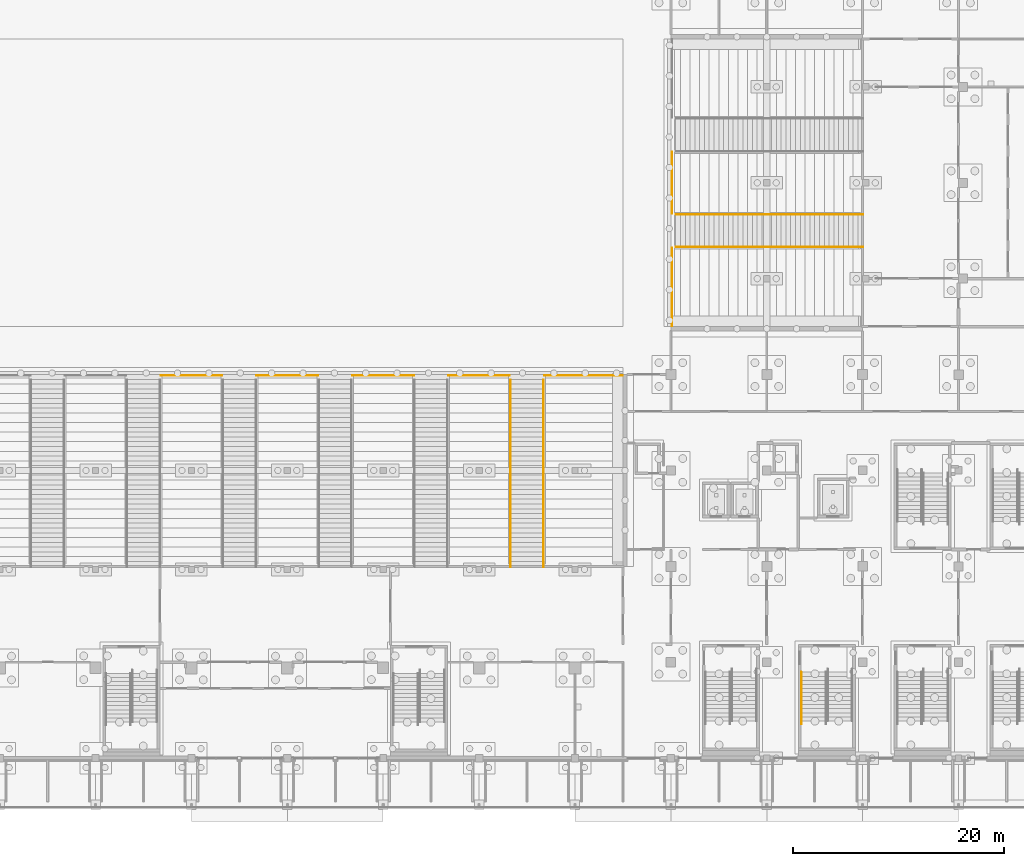
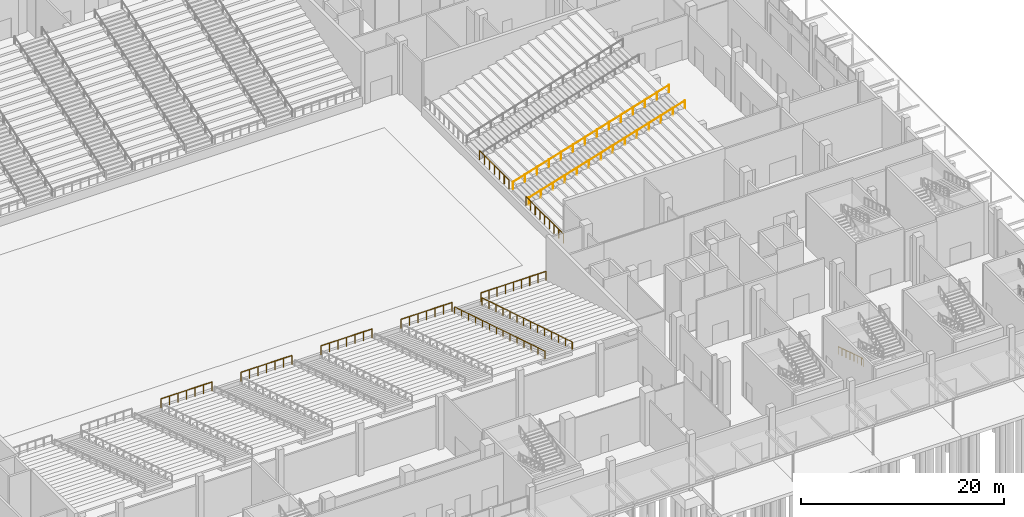
# One storey, part 107 of 129: 12 railings.
"""IFC4 building model written with IfcOpenShell, lengths in metres."""

from ifc_helpers import new_model, si_unit, direction, frame, origin, origin_2d, place, context, subcontext, project, spatial, circle, extrude, material, type_object, element, save


model = new_model("IFC4")

# Units and contexts
model_context = context("Model", 3, precision=1e-05, world=origin(), true_north=direction((0.0, 1.0)))
body_context = subcontext(model_context, "Body", "Model", "MODEL_VIEW")
ifc_project = project(units=[si_unit("LENGTHUNIT", "METRE"), si_unit("AREAUNIT", "SQUARE_METRE"), si_unit("VOLUMEUNIT", "CUBIC_METRE"), si_unit("PLANEANGLEUNIT", "RADIAN"), si_unit("MASSUNIT", "GRAM", prefix="KILO")], contexts=[model_context])

# Site, building, storey
site_placement = place(None, origin())
site = spatial("IfcSite", under=ifc_project, at=site_placement, CompositionType="ELEMENT")
building_placement = place(site_placement, origin())
building = spatial("IfcBuilding", under=site, at=building_placement, Name="Shirokan Park Arena", CompositionType="ELEMENT")
storey_placement = place(building_placement, origin())
storey = spatial("IfcBuildingStorey", under=building, at=storey_placement, Name="L00", CompositionType="ELEMENT", Elevation=0.0)

# Railings
ifc_material = material(Name="Stainless steel", Category="steel")
railing_type_1 = type_object("IfcRailingType", Name="Aisle handrail 900", PredefinedType="HANDRAIL", material=ifc_material)
railing_1_placement = place(storey_placement, frame((93.989990234375, 35.89501953125, 0.909912109375)))
element("IfcRailing", 1, at=railing_1_placement, inside=storey, type_object=railing_type_1, Name="Handrail vomitory stair S6 lower", PredefinedType="HANDRAIL", context=body_context, shape_type="SweptSolid", body=[
    extrude(circle(Radius=0.02490234375, at=origin_2d()), frame((0.0, 0.0, 0.89013671875), z_axis=(0.0, -0.955745737905, 0.294193957241), x_axis=(1.0, 0.0, 0.0)), (0.0, 0.0, 1.0), 1.42822265625),
    extrude(circle(Radius=0.02490234375, at=origin_2d()), frame((0.0, -1.364990234375, 1.310546875), z_axis=(0.0, -0.95579379257, 0.294037797035), x_axis=(1.0, 0.0, 0.0)), (0.0, 0.0, 1.0), 1.42822265625),
    extrude(circle(Radius=0.02490234375, at=origin_2d()), frame((0.0, -2.72998046875, 1.73046875), z_axis=(0.0, -0.95579379257, 0.294037797035), x_axis=(1.0, 0.0, 0.0)), (0.0, 0.0, 1.0), 1.42822265625),
    extrude(circle(Radius=0.02490234375, at=origin_2d()), frame((0.0, -4.094970703125, 2.150390625), z_axis=(0.0, -0.955745737905, 0.294193957241), x_axis=(1.0, 0.0, 0.0)), (0.0, 0.0, 1.0), 1.42822265625),
    extrude(circle(Radius=0.02490234375, at=origin_2d()), frame((0.0, -5.4599609375, 2.5703125), z_axis=(0.0, -0.95579379257, 0.294037797035), x_axis=(1.0, 0.0, 0.0)), (0.0, 0.0, 1.0), 1.42822265625),
    extrude(circle(Radius=0.02490234375, at=origin_2d()), frame((0.0, -6.824951171875, 2.990234375), z_axis=(0.0, -0.95579379257, 0.294037797035), x_axis=(1.0, 0.0, 0.0)), (0.0, 0.0, 1.0), 1.42822265625),
    extrude(circle(Radius=0.02490234375, at=origin_2d()), frame((0.0, -8.18994140625, 3.41015625), z_axis=(0.0, -0.955745737905, 0.294193957241), x_axis=(1.0, 0.0, 0.0)), (0.0, 0.0, 1.0), 1.42822265625),
    extrude(circle(Radius=0.02490234375, at=origin_2d()), frame((0.0, -9.554931640625, 3.83056640625), z_axis=(0.0, -0.95579379257, 0.294037797035), x_axis=(1.0, 0.0, 0.0)), (0.0, 0.0, 1.0), 1.42822265625),
    extrude(circle(Radius=0.02490234375, at=origin_2d()), frame((0.0, -10.919921875, 4.25048828125), z_axis=(0.0, -0.95579379257, 0.294037797035), x_axis=(1.0, 0.0, 0.0)), (0.0, 0.0, 1.0), 1.42822265625),
    extrude(circle(Radius=0.02490234375, at=origin_2d()), frame((0.0, -12.284912109375, 4.67041015625), z_axis=(0.0, -0.955745737905, 0.294193957241), x_axis=(1.0, 0.0, 0.0)), (0.0, 0.0, 1.0), 1.42822265625),
    extrude(circle(Radius=0.02490234375, at=origin_2d()), frame((0.0, -13.64990234375, 5.09033203125), z_axis=(0.0, -0.955808569173, 0.293989760189), x_axis=(1.0, 0.0, 0.0)), (0.0, 0.0, 1.0), 1.428466796875),
    extrude(circle(Radius=0.02490234375, at=origin_2d()), frame((0.0, -15.01513671875, 5.51025390625), z_axis=(0.0, -0.95579379257, 0.294037797035), x_axis=(1.0, 0.0, 0.0)), (0.0, 0.0, 1.0), 1.42822265625),
    extrude(circle(Radius=0.02490234375, at=origin_2d()), frame((0.0, -16.380126953125, 5.93017578125), z_axis=(0.0, -0.955745737905, 0.294193957241), x_axis=(1.0, 0.0, 0.0)), (0.0, 0.0, 1.0), 1.42822265625),
    extrude(circle(Radius=0.02490234375, at=origin_2d()), origin(), (0.0, 0.0, 1.0), 0.865234375),
    extrude(circle(Radius=0.02490234375, at=origin_2d()), frame((0.0, -1.364990234375, 0.420166015625)), (0.0, 0.0, 1.0), 0.865234375),
    extrude(circle(Radius=0.02490234375, at=origin_2d()), frame((0.0, -2.72998046875, 0.840087890625)), (0.0, 0.0, 1.0), 0.865234375),
    extrude(circle(Radius=0.02490234375, at=origin_2d()), frame((0.0, -4.094970703125, 1.260009765625)), (0.0, 0.0, 1.0), 0.865234375),
    extrude(circle(Radius=0.02490234375, at=origin_2d()), frame((0.0, -5.4599609375, 1.68017578125)), (0.0, 0.0, 1.0), 0.865234375),
    extrude(circle(Radius=0.02490234375, at=origin_2d()), frame((0.0, -6.824951171875, 2.10009765625)), (0.0, 0.0, 1.0), 0.865234375),
    extrude(circle(Radius=0.02490234375, at=origin_2d()), frame((0.0, -8.18994140625, 2.52001953125)), (0.0, 0.0, 1.0), 0.865234375),
    extrude(circle(Radius=0.02490234375, at=origin_2d()), frame((0.0, -9.554931640625, 2.940185546875)), (0.0, 0.0, 1.0), 0.865234375),
    extrude(circle(Radius=0.02490234375, at=origin_2d()), frame((0.0, -10.919921875, 3.360107421875)), (0.0, 0.0, 1.0), 0.865234375),
    extrude(circle(Radius=0.02490234375, at=origin_2d()), frame((0.0, -12.284912109375, 3.780029296875)), (0.0, 0.0, 1.0), 0.865234375),
    extrude(circle(Radius=0.02490234375, at=origin_2d()), frame((0.0, -13.64990234375, 4.2001953125)), (0.0, 0.0, 1.0), 0.865234375),
    extrude(circle(Radius=0.02490234375, at=origin_2d()), frame((0.0, -15.01513671875, 4.6201171875)), (0.0, 0.0, 1.0), 0.865234375),
    extrude(circle(Radius=0.02490234375, at=origin_2d()), frame((0.0, -16.380126953125, 5.0400390625)), (0.0, 0.0, 1.0), 0.865234375),
    extrude(circle(Radius=0.02490234375, at=origin_2d()), frame((0.0, -17.7451171875, 5.460205078125)), (0.0, 0.0, 1.0), 0.865234375),
])
railing_2_placement = place(storey_placement, frame((97.110107421875, 35.89501953125, 0.909912109375)))
element("IfcRailing", 2, at=railing_2_placement, inside=storey, type_object=railing_type_1, Name="Handrail vomitory stair S6 lower", PredefinedType="HANDRAIL", context=body_context, shape_type="SweptSolid", body=[
    extrude(circle(Radius=0.02490234375, at=origin_2d()), frame((0.0, 0.0, 0.89013671875), z_axis=(0.0, -0.955745737905, 0.294193957241), x_axis=(1.0, 0.0, 0.0)), (0.0, 0.0, 1.0), 1.42822265625),
    extrude(circle(Radius=0.02490234375, at=origin_2d()), frame((0.0, -1.364990234375, 1.310546875), z_axis=(0.0, -0.95579379257, 0.294037797035), x_axis=(1.0, 0.0, 0.0)), (0.0, 0.0, 1.0), 1.42822265625),
    extrude(circle(Radius=0.02490234375, at=origin_2d()), frame((0.0, -2.72998046875, 1.73046875), z_axis=(0.0, -0.95579379257, 0.294037797035), x_axis=(1.0, 0.0, 0.0)), (0.0, 0.0, 1.0), 1.42822265625),
    extrude(circle(Radius=0.02490234375, at=origin_2d()), frame((0.0, -4.094970703125, 2.150390625), z_axis=(0.0, -0.955745737905, 0.294193957241), x_axis=(1.0, 0.0, 0.0)), (0.0, 0.0, 1.0), 1.42822265625),
    extrude(circle(Radius=0.02490234375, at=origin_2d()), frame((0.0, -5.4599609375, 2.5703125), z_axis=(0.0, -0.95579379257, 0.294037797035), x_axis=(1.0, 0.0, 0.0)), (0.0, 0.0, 1.0), 1.42822265625),
    extrude(circle(Radius=0.02490234375, at=origin_2d()), frame((0.0, -6.824951171875, 2.990234375), z_axis=(0.0, -0.95579379257, 0.294037797035), x_axis=(1.0, 0.0, 0.0)), (0.0, 0.0, 1.0), 1.42822265625),
    extrude(circle(Radius=0.02490234375, at=origin_2d()), frame((0.0, -8.18994140625, 3.41015625), z_axis=(0.0, -0.955745737905, 0.294193957241), x_axis=(1.0, 0.0, 0.0)), (0.0, 0.0, 1.0), 1.42822265625),
    extrude(circle(Radius=0.02490234375, at=origin_2d()), frame((0.0, -9.554931640625, 3.83056640625), z_axis=(0.0, -0.95579379257, 0.294037797035), x_axis=(1.0, 0.0, 0.0)), (0.0, 0.0, 1.0), 1.42822265625),
    extrude(circle(Radius=0.02490234375, at=origin_2d()), frame((0.0, -10.919921875, 4.25048828125), z_axis=(0.0, -0.95579379257, 0.294037797035), x_axis=(1.0, 0.0, 0.0)), (0.0, 0.0, 1.0), 1.42822265625),
    extrude(circle(Radius=0.02490234375, at=origin_2d()), frame((0.0, -12.284912109375, 4.67041015625), z_axis=(0.0, -0.955745737905, 0.294193957241), x_axis=(1.0, 0.0, 0.0)), (0.0, 0.0, 1.0), 1.42822265625),
    extrude(circle(Radius=0.02490234375, at=origin_2d()), frame((0.0, -13.64990234375, 5.09033203125), z_axis=(0.0, -0.955808569173, 0.293989760189), x_axis=(1.0, 0.0, 0.0)), (0.0, 0.0, 1.0), 1.428466796875),
    extrude(circle(Radius=0.02490234375, at=origin_2d()), frame((0.0, -15.01513671875, 5.51025390625), z_axis=(0.0, -0.95579379257, 0.294037797035), x_axis=(1.0, 0.0, 0.0)), (0.0, 0.0, 1.0), 1.42822265625),
    extrude(circle(Radius=0.02490234375, at=origin_2d()), frame((0.0, -16.380126953125, 5.93017578125), z_axis=(0.0, -0.955745737905, 0.294193957241), x_axis=(1.0, 0.0, 0.0)), (0.0, 0.0, 1.0), 1.42822265625),
    extrude(circle(Radius=0.02490234375, at=origin_2d()), origin(), (0.0, 0.0, 1.0), 0.865234375),
    extrude(circle(Radius=0.02490234375, at=origin_2d()), frame((0.0, -1.364990234375, 0.420166015625)), (0.0, 0.0, 1.0), 0.865234375),
    extrude(circle(Radius=0.02490234375, at=origin_2d()), frame((0.0, -2.72998046875, 0.840087890625)), (0.0, 0.0, 1.0), 0.865234375),
    extrude(circle(Radius=0.02490234375, at=origin_2d()), frame((0.0, -4.094970703125, 1.260009765625)), (0.0, 0.0, 1.0), 0.865234375),
    extrude(circle(Radius=0.02490234375, at=origin_2d()), frame((0.0, -5.4599609375, 1.68017578125)), (0.0, 0.0, 1.0), 0.865234375),
    extrude(circle(Radius=0.02490234375, at=origin_2d()), frame((0.0, -6.824951171875, 2.10009765625)), (0.0, 0.0, 1.0), 0.865234375),
    extrude(circle(Radius=0.02490234375, at=origin_2d()), frame((0.0, -8.18994140625, 2.52001953125)), (0.0, 0.0, 1.0), 0.865234375),
    extrude(circle(Radius=0.02490234375, at=origin_2d()), frame((0.0, -9.554931640625, 2.940185546875)), (0.0, 0.0, 1.0), 0.865234375),
    extrude(circle(Radius=0.02490234375, at=origin_2d()), frame((0.0, -10.919921875, 3.360107421875)), (0.0, 0.0, 1.0), 0.865234375),
    extrude(circle(Radius=0.02490234375, at=origin_2d()), frame((0.0, -12.284912109375, 3.780029296875)), (0.0, 0.0, 1.0), 0.865234375),
    extrude(circle(Radius=0.02490234375, at=origin_2d()), frame((0.0, -13.64990234375, 4.2001953125)), (0.0, 0.0, 1.0), 0.865234375),
    extrude(circle(Radius=0.02490234375, at=origin_2d()), frame((0.0, -15.01513671875, 4.6201171875)), (0.0, 0.0, 1.0), 0.865234375),
    extrude(circle(Radius=0.02490234375, at=origin_2d()), frame((0.0, -16.380126953125, 5.0400390625)), (0.0, 0.0, 1.0), 0.865234375),
    extrude(circle(Radius=0.02490234375, at=origin_2d()), frame((0.0, -17.7451171875, 5.460205078125)), (0.0, 0.0, 1.0), 0.865234375),
])
railing_3_placement = place(storey_placement, frame((109.705078125, 48.489990234375, 0.909912109375)))
element("IfcRailing", 3, at=railing_3_placement, inside=storey, type_object=railing_type_1, Name="Handrail vomitory stair E1 lower", PredefinedType="HANDRAIL", context=body_context, shape_type="SweptSolid", body=[
    extrude(circle(Radius=0.02490234375, at=origin_2d()), frame((0.0, 0.0, 0.89013671875), z_axis=(0.955745737905, 0.0, 0.294193957241), x_axis=(0.0, 1.0, 0.0)), (0.0, 0.0, 1.0), 1.42822265625),
    extrude(circle(Radius=0.02490234375, at=origin_2d()), frame((1.364990234375, 0.0, 1.310546875), z_axis=(0.95579379257, 0.0, 0.294037797035), x_axis=(0.0, 1.0, 0.0)), (0.0, 0.0, 1.0), 1.42822265625),
    extrude(circle(Radius=0.02490234375, at=origin_2d()), frame((2.72998046875, 0.0, 1.73046875), z_axis=(0.95579379257, 0.0, 0.294037797035), x_axis=(0.0, 1.0, 0.0)), (0.0, 0.0, 1.0), 1.42822265625),
    extrude(circle(Radius=0.02490234375, at=origin_2d()), frame((4.094970703125, 0.0, 2.150390625), z_axis=(0.955745737905, 0.0, 0.294193957241), x_axis=(0.0, 1.0, 0.0)), (0.0, 0.0, 1.0), 1.42822265625),
    extrude(circle(Radius=0.02490234375, at=origin_2d()), frame((5.4599609375, 0.0, 2.5703125), z_axis=(0.95579379257, 0.0, 0.294037797035), x_axis=(0.0, 1.0, 0.0)), (0.0, 0.0, 1.0), 1.42822265625),
    extrude(circle(Radius=0.02490234375, at=origin_2d()), frame((6.824951171875, 0.0, 2.990234375), z_axis=(0.95579379257, 0.0, 0.294037797035), x_axis=(0.0, 1.0, 0.0)), (0.0, 0.0, 1.0), 1.42822265625),
    extrude(circle(Radius=0.02490234375, at=origin_2d()), frame((8.18994140625, 0.0, 3.41015625), z_axis=(0.955745737905, 0.0, 0.294193957241), x_axis=(0.0, 1.0, 0.0)), (0.0, 0.0, 1.0), 1.42822265625),
    extrude(circle(Radius=0.02490234375, at=origin_2d()), frame((9.554931640625, 0.0, 3.83056640625), z_axis=(0.95579379257, 0.0, 0.294037797035), x_axis=(0.0, 1.0, 0.0)), (0.0, 0.0, 1.0), 1.42822265625),
    extrude(circle(Radius=0.02490234375, at=origin_2d()), frame((10.919921875, 0.0, 4.25048828125), z_axis=(0.95579379257, 0.0, 0.294037797035), x_axis=(0.0, 1.0, 0.0)), (0.0, 0.0, 1.0), 1.42822265625),
    extrude(circle(Radius=0.02490234375, at=origin_2d()), frame((12.284912109375, 0.0, 4.67041015625), z_axis=(0.955745737905, 0.0, 0.294193957241), x_axis=(0.0, 1.0, 0.0)), (0.0, 0.0, 1.0), 1.42822265625),
    extrude(circle(Radius=0.02490234375, at=origin_2d()), frame((13.64990234375, 0.0, 5.09033203125), z_axis=(0.95579379257, 0.0, 0.294037797035), x_axis=(0.0, 1.0, 0.0)), (0.0, 0.0, 1.0), 1.42822265625),
    extrude(circle(Radius=0.02490234375, at=origin_2d()), frame((15.014892578125, 0.0, 5.51025390625), z_axis=(0.95579379257, 0.0, 0.294037797035), x_axis=(0.0, 1.0, 0.0)), (0.0, 0.0, 1.0), 1.42822265625),
    extrude(circle(Radius=0.02490234375, at=origin_2d()), frame((16.3798828125, 0.0, 5.93017578125), z_axis=(0.955745737905, 0.0, 0.294193957241), x_axis=(0.0, 1.0, 0.0)), (0.0, 0.0, 1.0), 1.42822265625),
    extrude(circle(Radius=0.02490234375, at=origin_2d()), origin(), (0.0, 0.0, 1.0), 0.865234375),
    extrude(circle(Radius=0.02490234375, at=origin_2d()), frame((1.364990234375, 0.0, 0.420166015625)), (0.0, 0.0, 1.0), 0.865234375),
    extrude(circle(Radius=0.02490234375, at=origin_2d()), frame((2.72998046875, 0.0, 0.840087890625)), (0.0, 0.0, 1.0), 0.865234375),
    extrude(circle(Radius=0.02490234375, at=origin_2d()), frame((4.094970703125, 0.0, 1.260009765625)), (0.0, 0.0, 1.0), 0.865234375),
    extrude(circle(Radius=0.02490234375, at=origin_2d()), frame((5.4599609375, 0.0, 1.68017578125)), (0.0, 0.0, 1.0), 0.865234375),
    extrude(circle(Radius=0.02490234375, at=origin_2d()), frame((6.824951171875, 0.0, 2.10009765625)), (0.0, 0.0, 1.0), 0.865234375),
    extrude(circle(Radius=0.02490234375, at=origin_2d()), frame((8.18994140625, 0.0, 2.52001953125)), (0.0, 0.0, 1.0), 0.865234375),
    extrude(circle(Radius=0.02490234375, at=origin_2d()), frame((9.554931640625, 0.0, 2.940185546875)), (0.0, 0.0, 1.0), 0.865234375),
    extrude(circle(Radius=0.02490234375, at=origin_2d()), frame((10.919921875, 0.0, 3.360107421875)), (0.0, 0.0, 1.0), 0.865234375),
    extrude(circle(Radius=0.02490234375, at=origin_2d()), frame((12.284912109375, 0.0, 3.780029296875)), (0.0, 0.0, 1.0), 0.865234375),
    extrude(circle(Radius=0.02490234375, at=origin_2d()), frame((13.64990234375, 0.0, 4.2001953125)), (0.0, 0.0, 1.0), 0.865234375),
    extrude(circle(Radius=0.02490234375, at=origin_2d()), frame((15.014892578125, 0.0, 4.6201171875)), (0.0, 0.0, 1.0), 0.865234375),
    extrude(circle(Radius=0.02490234375, at=origin_2d()), frame((16.3798828125, 0.0, 5.0400390625)), (0.0, 0.0, 1.0), 0.865234375),
    extrude(circle(Radius=0.02490234375, at=origin_2d()), frame((17.744873046875, 0.0, 5.460205078125)), (0.0, 0.0, 1.0), 0.865234375),
])
railing_4_placement = place(storey_placement, frame((109.705078125, 51.610107421875, 0.909912109375)))
element("IfcRailing", 4, at=railing_4_placement, inside=storey, type_object=railing_type_1, Name="Handrail vomitory stair E1 lower", PredefinedType="HANDRAIL", context=body_context, shape_type="SweptSolid", body=[
    extrude(circle(Radius=0.02490234375, at=origin_2d()), frame((0.0, 0.0, 0.89013671875), z_axis=(0.955745737905, 0.0, 0.294193957241), x_axis=(0.0, 1.0, 0.0)), (0.0, 0.0, 1.0), 1.42822265625),
    extrude(circle(Radius=0.02490234375, at=origin_2d()), frame((1.364990234375, 0.0, 1.310546875), z_axis=(0.95579379257, 0.0, 0.294037797035), x_axis=(0.0, 1.0, 0.0)), (0.0, 0.0, 1.0), 1.42822265625),
    extrude(circle(Radius=0.02490234375, at=origin_2d()), frame((2.72998046875, 0.0, 1.73046875), z_axis=(0.95579379257, 0.0, 0.294037797035), x_axis=(0.0, 1.0, 0.0)), (0.0, 0.0, 1.0), 1.42822265625),
    extrude(circle(Radius=0.02490234375, at=origin_2d()), frame((4.094970703125, 0.0, 2.150390625), z_axis=(0.955745737905, 0.0, 0.294193957241), x_axis=(0.0, 1.0, 0.0)), (0.0, 0.0, 1.0), 1.42822265625),
    extrude(circle(Radius=0.02490234375, at=origin_2d()), frame((5.4599609375, 0.0, 2.5703125), z_axis=(0.95579379257, 0.0, 0.294037797035), x_axis=(0.0, 1.0, 0.0)), (0.0, 0.0, 1.0), 1.42822265625),
    extrude(circle(Radius=0.02490234375, at=origin_2d()), frame((6.824951171875, 0.0, 2.990234375), z_axis=(0.95579379257, 0.0, 0.294037797035), x_axis=(0.0, 1.0, 0.0)), (0.0, 0.0, 1.0), 1.42822265625),
    extrude(circle(Radius=0.02490234375, at=origin_2d()), frame((8.18994140625, 0.0, 3.41015625), z_axis=(0.955745737905, 0.0, 0.294193957241), x_axis=(0.0, 1.0, 0.0)), (0.0, 0.0, 1.0), 1.42822265625),
    extrude(circle(Radius=0.02490234375, at=origin_2d()), frame((9.554931640625, 0.0, 3.83056640625), z_axis=(0.95579379257, 0.0, 0.294037797035), x_axis=(0.0, 1.0, 0.0)), (0.0, 0.0, 1.0), 1.42822265625),
    extrude(circle(Radius=0.02490234375, at=origin_2d()), frame((10.919921875, 0.0, 4.25048828125), z_axis=(0.95579379257, 0.0, 0.294037797035), x_axis=(0.0, 1.0, 0.0)), (0.0, 0.0, 1.0), 1.42822265625),
    extrude(circle(Radius=0.02490234375, at=origin_2d()), frame((12.284912109375, 0.0, 4.67041015625), z_axis=(0.955745737905, 0.0, 0.294193957241), x_axis=(0.0, 1.0, 0.0)), (0.0, 0.0, 1.0), 1.42822265625),
    extrude(circle(Radius=0.02490234375, at=origin_2d()), frame((13.64990234375, 0.0, 5.09033203125), z_axis=(0.95579379257, 0.0, 0.294037797035), x_axis=(0.0, 1.0, 0.0)), (0.0, 0.0, 1.0), 1.42822265625),
    extrude(circle(Radius=0.02490234375, at=origin_2d()), frame((15.014892578125, 0.0, 5.51025390625), z_axis=(0.95579379257, 0.0, 0.294037797035), x_axis=(0.0, 1.0, 0.0)), (0.0, 0.0, 1.0), 1.42822265625),
    extrude(circle(Radius=0.02490234375, at=origin_2d()), frame((16.3798828125, 0.0, 5.93017578125), z_axis=(0.955745737905, 0.0, 0.294193957241), x_axis=(0.0, 1.0, 0.0)), (0.0, 0.0, 1.0), 1.42822265625),
    extrude(circle(Radius=0.02490234375, at=origin_2d()), origin(), (0.0, 0.0, 1.0), 0.865234375),
    extrude(circle(Radius=0.02490234375, at=origin_2d()), frame((1.364990234375, 0.0, 0.420166015625)), (0.0, 0.0, 1.0), 0.865234375),
    extrude(circle(Radius=0.02490234375, at=origin_2d()), frame((2.72998046875, 0.0, 0.840087890625)), (0.0, 0.0, 1.0), 0.865234375),
    extrude(circle(Radius=0.02490234375, at=origin_2d()), frame((4.094970703125, 0.0, 1.260009765625)), (0.0, 0.0, 1.0), 0.865234375),
    extrude(circle(Radius=0.02490234375, at=origin_2d()), frame((5.4599609375, 0.0, 1.68017578125)), (0.0, 0.0, 1.0), 0.865234375),
    extrude(circle(Radius=0.02490234375, at=origin_2d()), frame((6.824951171875, 0.0, 2.10009765625)), (0.0, 0.0, 1.0), 0.865234375),
    extrude(circle(Radius=0.02490234375, at=origin_2d()), frame((8.18994140625, 0.0, 2.52001953125)), (0.0, 0.0, 1.0), 0.865234375),
    extrude(circle(Radius=0.02490234375, at=origin_2d()), frame((9.554931640625, 0.0, 2.940185546875)), (0.0, 0.0, 1.0), 0.865234375),
    extrude(circle(Radius=0.02490234375, at=origin_2d()), frame((10.919921875, 0.0, 3.360107421875)), (0.0, 0.0, 1.0), 0.865234375),
    extrude(circle(Radius=0.02490234375, at=origin_2d()), frame((12.284912109375, 0.0, 3.780029296875)), (0.0, 0.0, 1.0), 0.865234375),
    extrude(circle(Radius=0.02490234375, at=origin_2d()), frame((13.64990234375, 0.0, 4.2001953125)), (0.0, 0.0, 1.0), 0.865234375),
    extrude(circle(Radius=0.02490234375, at=origin_2d()), frame((15.014892578125, 0.0, 4.6201171875)), (0.0, 0.0, 1.0), 0.865234375),
    extrude(circle(Radius=0.02490234375, at=origin_2d()), frame((16.3798828125, 0.0, 5.0400390625)), (0.0, 0.0, 1.0), 0.865234375),
    extrude(circle(Radius=0.02490234375, at=origin_2d()), frame((17.744873046875, 0.0, 5.460205078125)), (0.0, 0.0, 1.0), 0.865234375),
])
railing_type_2 = type_object("IfcRailingType", Name="Crowd barrier 1100", PredefinedType="GUARDRAIL", material=ifc_material)
for number, where, name in (
    (5, (60.800048828125, 36.300048828125, 1.050048828125), "Crowd barrier S3 lower tier"),
    (6, (69.89990234375, 36.300048828125, 1.050048828125), "Crowd barrier S4 lower tier"),
    (7, (79.0, 36.300048828125, 1.050048828125), "Crowd barrier S5 lower tier"),
):
    element("IfcRailing", number, at=place(storey_placement, frame(where)), inside=storey, type_object=railing_type_2, Name=name, PredefinedType="GUARDRAIL", context=body_context, shape_type="SweptSolid", body=[
        extrude(circle(Radius=0.030029296875, at=origin_2d()), frame((0.0, 0.0, 1.072021484375), z_axis=(1.0, 0.0, 0.0), x_axis=(0.0, 1.0, 0.0)), (0.0, 0.0, 1.0), 5.800048828125),
        extrude(circle(Radius=0.030029296875, at=origin_2d()), origin(), (0.0, 0.0, 1.0), 1.0419921875),
        extrude(circle(Radius=0.030029296875, at=origin_2d()), frame((0.966796875, 0.0, 0.0)), (0.0, 0.0, 1.0), 1.0419921875),
        extrude(circle(Radius=0.030029296875, at=origin_2d()), frame((1.933349609375, 0.0, 0.0)), (0.0, 0.0, 1.0), 1.0419921875),
        extrude(circle(Radius=0.030029296875, at=origin_2d()), frame((2.89990234375, 0.0, 0.0)), (0.0, 0.0, 1.0), 1.0419921875),
        extrude(circle(Radius=0.030029296875, at=origin_2d()), frame((3.86669921875, 0.0, 0.0)), (0.0, 0.0, 1.0), 1.0419921875),
        extrude(circle(Radius=0.030029296875, at=origin_2d()), frame((4.83349609375, 0.0, 0.0)), (0.0, 0.0, 1.0), 1.0419921875),
        extrude(circle(Radius=0.030029296875, at=origin_2d()), frame((5.800048828125, 0.0, 0.0)), (0.0, 0.0, 1.0), 1.0419921875),
    ])
railing_5_placement = place(storey_placement, frame((88.10009765625, 36.300048828125, 1.050048828125)))
element("IfcRailing", 8, at=railing_5_placement, inside=storey, type_object=railing_type_2, Name="Crowd barrier S6 lower tier", PredefinedType="GUARDRAIL", context=body_context, shape_type="SweptSolid", body=[
    extrude(circle(Radius=0.030029296875, at=origin_2d()), frame((0.0, 0.0, 1.072021484375), z_axis=(1.0, 0.0, 0.0), x_axis=(0.0, 1.0, 0.0)), (0.0, 0.0, 1.0), 5.7998046875),
    extrude(circle(Radius=0.030029296875, at=origin_2d()), origin(), (0.0, 0.0, 1.0), 1.0419921875),
    extrude(circle(Radius=0.030029296875, at=origin_2d()), frame((0.966552734375, 0.0, 0.0)), (0.0, 0.0, 1.0), 1.0419921875),
    extrude(circle(Radius=0.030029296875, at=origin_2d()), frame((1.933349609375, 0.0, 0.0)), (0.0, 0.0, 1.0), 1.0419921875),
    extrude(circle(Radius=0.030029296875, at=origin_2d()), frame((2.89990234375, 0.0, 0.0)), (0.0, 0.0, 1.0), 1.0419921875),
    extrude(circle(Radius=0.030029296875, at=origin_2d()), frame((3.866455078125, 0.0, 0.0)), (0.0, 0.0, 1.0), 1.0419921875),
    extrude(circle(Radius=0.030029296875, at=origin_2d()), frame((4.833251953125, 0.0, 0.0)), (0.0, 0.0, 1.0), 1.0419921875),
    extrude(circle(Radius=0.030029296875, at=origin_2d()), frame((5.7998046875, 0.0, 0.0)), (0.0, 0.0, 1.0), 1.0419921875),
])
railing_6_placement = place(storey_placement, frame((97.199951171875, 36.300048828125, 1.050048828125)))
element("IfcRailing", 9, at=railing_6_placement, inside=storey, type_object=railing_type_2, Name="Crowd barrier S7 lower tier", PredefinedType="GUARDRAIL", context=body_context, shape_type="SweptSolid", body=[
    extrude(circle(Radius=0.030029296875, at=origin_2d()), frame((0.0, 0.0, 1.072021484375), z_axis=(1.0, 0.0, 0.0), x_axis=(0.0, 1.0, 0.0)), (0.0, 0.0, 1.0), 7.400146484375),
    extrude(circle(Radius=0.030029296875, at=origin_2d()), origin(), (0.0, 0.0, 1.0), 1.0419921875),
    extrude(circle(Radius=0.030029296875, at=origin_2d()), frame((0.925048828125, 0.0, 0.0)), (0.0, 0.0, 1.0), 1.0419921875),
    extrude(circle(Radius=0.030029296875, at=origin_2d()), frame((1.85009765625, 0.0, 0.0)), (0.0, 0.0, 1.0), 1.0419921875),
    extrude(circle(Radius=0.030029296875, at=origin_2d()), frame((2.775146484375, 0.0, 0.0)), (0.0, 0.0, 1.0), 1.0419921875),
    extrude(circle(Radius=0.030029296875, at=origin_2d()), frame((3.7001953125, 0.0, 0.0)), (0.0, 0.0, 1.0), 1.0419921875),
    extrude(circle(Radius=0.030029296875, at=origin_2d()), frame((4.625, 0.0, 0.0)), (0.0, 0.0, 1.0), 1.0419921875),
    extrude(circle(Radius=0.030029296875, at=origin_2d()), frame((5.550048828125, 0.0, 0.0)), (0.0, 0.0, 1.0), 1.0419921875),
    extrude(circle(Radius=0.030029296875, at=origin_2d()), frame((6.47509765625, 0.0, 0.0)), (0.0, 0.0, 1.0), 1.0419921875),
    extrude(circle(Radius=0.030029296875, at=origin_2d()), frame((7.400146484375, 0.0, 0.0)), (0.0, 0.0, 1.0), 1.0419921875),
])
railing_7_placement = place(storey_placement, frame((109.300048828125, 41.0, 1.050048828125)))
element("IfcRailing", 10, at=railing_7_placement, inside=storey, type_object=railing_type_2, Name="Crowd barrier E1 lower tier", PredefinedType="GUARDRAIL", context=body_context, shape_type="SweptSolid", body=[
    extrude(circle(Radius=0.030029296875, at=origin_2d()), frame((0.0, 0.0, 1.072021484375), z_axis=(0.0, 1.0, 0.0), x_axis=(-1.0, 0.0, 0.0)), (0.0, 0.0, 1.0), 7.39990234375),
    extrude(circle(Radius=0.030029296875, at=origin_2d()), origin(), (0.0, 0.0, 1.0), 1.0419921875),
    extrude(circle(Radius=0.030029296875, at=origin_2d()), frame((0.0, 0.925048828125, 0.0)), (0.0, 0.0, 1.0), 1.0419921875),
    extrude(circle(Radius=0.030029296875, at=origin_2d()), frame((0.0, 1.85009765625, 0.0)), (0.0, 0.0, 1.0), 1.0419921875),
    extrude(circle(Radius=0.030029296875, at=origin_2d()), frame((0.0, 2.77490234375, 0.0)), (0.0, 0.0, 1.0), 1.0419921875),
    extrude(circle(Radius=0.030029296875, at=origin_2d()), frame((0.0, 3.699951171875, 0.0)), (0.0, 0.0, 1.0), 1.0419921875),
    extrude(circle(Radius=0.030029296875, at=origin_2d()), frame((0.0, 4.625, 0.0)), (0.0, 0.0, 1.0), 1.0419921875),
    extrude(circle(Radius=0.030029296875, at=origin_2d()), frame((0.0, 5.5498046875, 0.0)), (0.0, 0.0, 1.0), 1.0419921875),
    extrude(circle(Radius=0.030029296875, at=origin_2d()), frame((0.0, 6.474853515625, 0.0)), (0.0, 0.0, 1.0), 1.0419921875),
    extrude(circle(Radius=0.030029296875, at=origin_2d()), frame((0.0, 7.39990234375, 0.0)), (0.0, 0.0, 1.0), 1.0419921875),
])
railing_8_placement = place(storey_placement, frame((109.300048828125, 51.699951171875, 1.050048828125)))
element("IfcRailing", 11, at=railing_8_placement, inside=storey, type_object=railing_type_2, Name="Crowd barrier E2 lower tier", PredefinedType="GUARDRAIL", context=body_context, shape_type="SweptSolid", body=[
    extrude(circle(Radius=0.030029296875, at=origin_2d()), frame((0.0, 0.0, 1.072021484375), z_axis=(0.0, 1.0, 0.0), x_axis=(-1.0, 0.0, 0.0)), (0.0, 0.0, 1.0), 5.800048828125),
    extrude(circle(Radius=0.030029296875, at=origin_2d()), origin(), (0.0, 0.0, 1.0), 1.0419921875),
    extrude(circle(Radius=0.030029296875, at=origin_2d()), frame((0.0, 0.966796875, 0.0)), (0.0, 0.0, 1.0), 1.0419921875),
    extrude(circle(Radius=0.030029296875, at=origin_2d()), frame((0.0, 1.933349609375, 0.0)), (0.0, 0.0, 1.0), 1.0419921875),
    extrude(circle(Radius=0.030029296875, at=origin_2d()), frame((0.0, 2.89990234375, 0.0)), (0.0, 0.0, 1.0), 1.0419921875),
    extrude(circle(Radius=0.030029296875, at=origin_2d()), frame((0.0, 3.86669921875, 0.0)), (0.0, 0.0, 1.0), 1.0419921875),
    extrude(circle(Radius=0.030029296875, at=origin_2d()), frame((0.0, 4.83349609375, 0.0)), (0.0, 0.0, 1.0), 1.0419921875),
    extrude(circle(Radius=0.030029296875, at=origin_2d()), frame((0.0, 5.800048828125, 0.0)), (0.0, 0.0, 1.0), 1.0419921875),
])
railing_type_3 = type_object("IfcRailingType", Name="Stair handrail 900", PredefinedType="HANDRAIL", material=ifc_material)
railing_9_placement = place(storey_placement, frame((121.590087890625, 8.14990234375, 3.3076171875)))
element("IfcRailing", 12, at=railing_9_placement, inside=storey, type_object=railing_type_3, Name="Handrail Exit Stair 2.C L00 to L01", PredefinedType="HANDRAIL", context=body_context, shape_type="SweptSolid", body=[
    extrude(circle(Radius=0.02392578125, at=origin_2d()), frame((0.0, 0.0, 0.8759765625), z_axis=(0.0, -0.952915858112, 0.303234838629), x_axis=(1.0, 0.0, 0.0)), (0.0, 0.0, 1.0), 1.615966796875),
    extrude(circle(Radius=0.02392578125, at=origin_2d()), frame((0.0, -1.539794921875, 1.36572265625), z_axis=(0.0, -0.952929747917, 0.303191186441), x_axis=(1.0, 0.0, 0.0)), (0.0, 0.0, 1.0), 1.6162109375),
    extrude(circle(Radius=0.02392578125, at=origin_2d()), frame((0.0, -3.079833984375, 1.85595703125), z_axis=(0.0, -0.952929747917, 0.303191186441), x_axis=(1.0, 0.0, 0.0)), (0.0, 0.0, 1.0), 1.6162109375),
    extrude(circle(Radius=0.02392578125, at=origin_2d()), frame((0.0, -4.619873046875, 2.345703125), z_axis=(0.0, -1.0, 0.0), x_axis=(1.0, 0.0, 0.0)), (0.0, 0.0, 1.0), 0.300048828125),
    extrude(circle(Radius=0.02099609375, at=origin_2d()), origin(), (0.0, 0.0, 1.0), 0.851806640625),
    extrude(circle(Radius=0.02099609375, at=origin_2d()), frame((0.0, -0.77001953125, 0.2451171875)), (0.0, 0.0, 1.0), 0.851806640625),
    extrude(circle(Radius=0.02099609375, at=origin_2d()), frame((0.0, -1.539794921875, 0.489990234375)), (0.0, 0.0, 1.0), 0.851806640625),
    extrude(circle(Radius=0.02099609375, at=origin_2d()), frame((0.0, -2.309814453125, 0.73486328125)), (0.0, 0.0, 1.0), 0.851806640625),
    extrude(circle(Radius=0.02099609375, at=origin_2d()), frame((0.0, -3.079833984375, 0.97998046875)), (0.0, 0.0, 1.0), 0.851806640625),
    extrude(circle(Radius=0.02099609375, at=origin_2d()), frame((0.0, -3.849853515625, 1.22509765625)), (0.0, 0.0, 1.0), 0.851806640625),
    extrude(circle(Radius=0.02099609375, at=origin_2d()), frame((0.0, -4.619873046875, 1.469970703125)), (0.0, 0.0, 1.0), 0.851806640625),
    extrude(circle(Radius=0.02099609375, at=origin_2d()), frame((0.0, -4.919921875, 1.469970703125)), (0.0, 0.0, 1.0), 0.851806640625),
])

save(model, "model.ifc")
